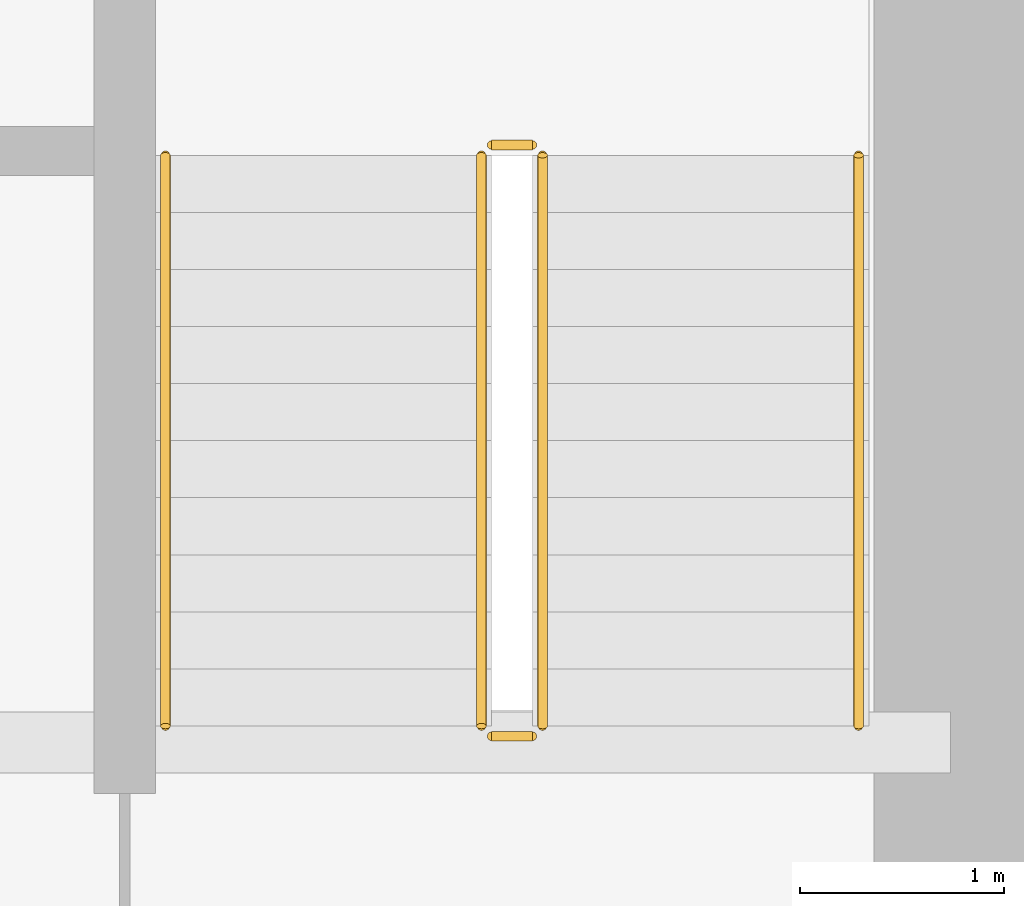
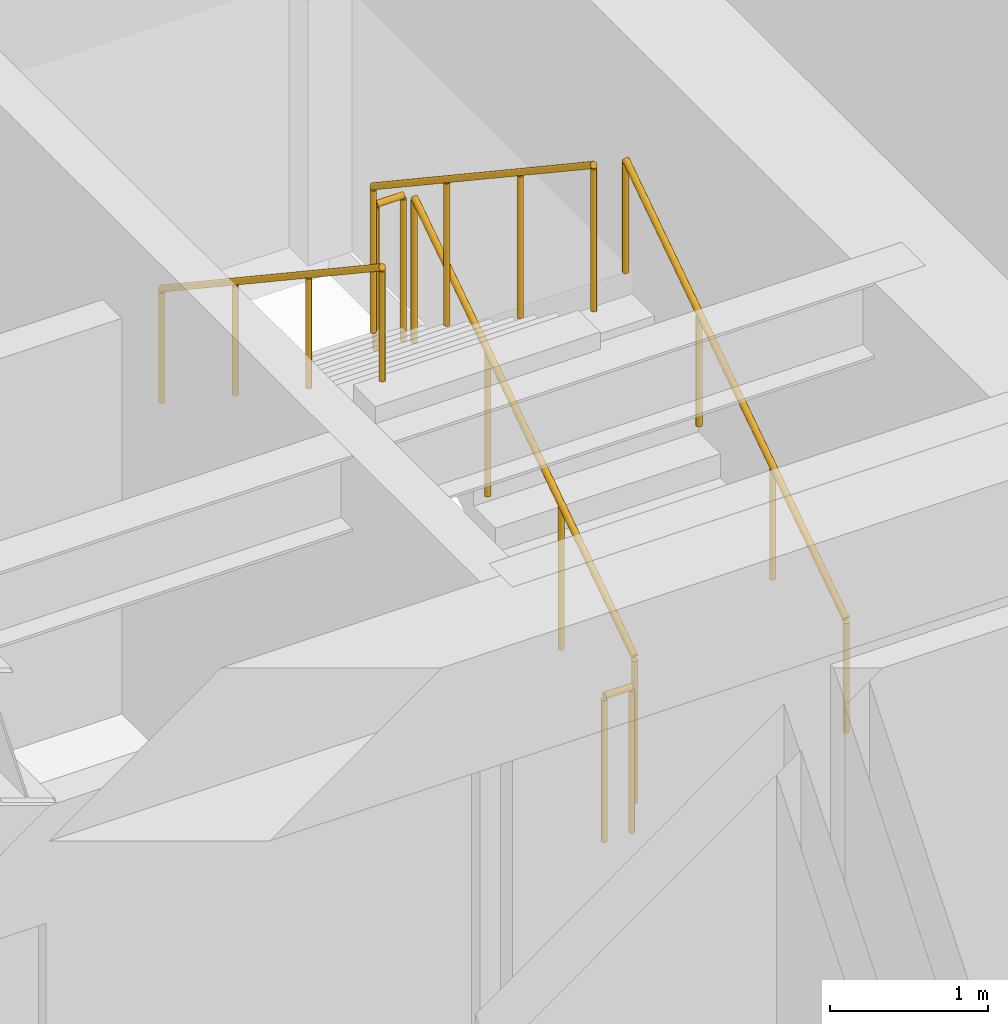
# One storey, part 35 of 35: 6 railings.
"""IFC4 building model written with IfcOpenShell, lengths in metres."""

from ifc_helpers import new_model, si_unit, direction, frame, origin, origin_2d, place, context, subcontext, project, spatial, circle, extrude, source, transform, mapped, material, type_object, type_shapes, element, save


model = new_model("IFC4")

# Units and contexts
model_context = context("Model", 3, precision=1e-05, world=origin(), true_north=direction((0.0, 1.0)))
body_context = subcontext(model_context, "Body", "Model", "MODEL_VIEW")
ifc_project = project(units=[si_unit("LENGTHUNIT", "METRE"), si_unit("AREAUNIT", "SQUARE_METRE"), si_unit("VOLUMEUNIT", "CUBIC_METRE"), si_unit("PLANEANGLEUNIT", "RADIAN"), si_unit("MASSUNIT", "GRAM", prefix="KILO")], contexts=[model_context])

# Site, building, storey
site_placement = place(None, origin())
site = spatial("IfcSite", under=ifc_project, at=site_placement, CompositionType="ELEMENT")
building_placement = place(site_placement, origin())
building = spatial("IfcBuilding", under=site, at=building_placement, Name="Haelvirn Gate Laboratories", CompositionType="ELEMENT")
storey_placement = place(building_placement, frame((0.0, 0.0, 37.5)))
storey = spatial("IfcBuildingStorey", under=building, at=storey_placement, Name="L09", CompositionType="ELEMENT", Elevation=37.5)

# Railings
ifc_material_1 = material(Name="Galvanised steel SM355 & stainless top rail", Category="steel")
railing_type_1 = type_object("IfcRailingType", Name="RL-GUARD-1150", PredefinedType="GUARDRAIL", material=ifc_material_1)
shared_shape_1 = source(origin(), body_context, "Body", "SweptSolid", [
    extrude(circle(Radius=0.02392578125, at=origin_2d()), frame((0.0, 0.0, 1.1259765625), z_axis=(0.0, -0.832452072856, 0.554097055034), x_axis=(1.0, 0.0, 0.0)), (0.0, 0.0, 1.0), 3.363525390625),
    extrude(circle(Radius=0.02099609375, at=origin_2d()), origin(), (0.0, 0.0, 1.0), 1.101806640625),
    extrude(circle(Radius=0.02099609375, at=origin_2d()), frame((0.0, -0.933349609375, 0.621337890625)), (0.0, 0.0, 1.0), 1.101806640625),
    extrude(circle(Radius=0.02099609375, at=origin_2d()), frame((0.0, -1.86669921875, 1.242431640625)), (0.0, 0.0, 1.0), 1.101806640625),
    extrude(circle(Radius=0.02099609375, at=origin_2d()), frame((0.0, -2.800048828125, 1.86376953125)), (0.0, 0.0, 1.0), 1.101806640625),
])
railing_1_placement = place(storey_placement, frame((65.10009765625, 29.5, 2.236328125)))
element("IfcRailing", 1, at=railing_1_placement, inside=storey, type_object=railing_type_1, Name="L09 ST2 stair guard 3", PredefinedType="GUARDRAIL", context=body_context, shape_type="MappedRepresentation", body=[
    mapped(shared_shape_1, transform((0.0, 0.0, 0.0), scale=1.0)),
])
ifc_material_2 = material(Name="Brushed stainless steel 316L", Category="steel")
railing_type_2 = type_object("IfcRailingType", Name="RL-HAND-920", PredefinedType="HANDRAIL", material=ifc_material_2)
shared_shape_2 = source(origin(), body_context, "Body", "SweptSolid", [
    extrude(circle(Radius=0.02392578125, at=origin_2d()), frame((0.0, 0.0, 0.8759765625), z_axis=(0.0, -0.832452072856, 0.554097055034), x_axis=(1.0, 0.0, 0.0)), (0.0, 0.0, 1.0), 3.363525390625),
    extrude(circle(Radius=0.02099609375, at=origin_2d()), origin(), (0.0, 0.0, 1.0), 0.851806640625),
    extrude(circle(Radius=0.02099609375, at=origin_2d()), frame((0.0, -0.933349609375, 0.621337890625)), (0.0, 0.0, 1.0), 0.851806640625),
    extrude(circle(Radius=0.02099609375, at=origin_2d()), frame((0.0, -1.86669921875, 1.242431640625)), (0.0, 0.0, 1.0), 0.851806640625),
    extrude(circle(Radius=0.02099609375, at=origin_2d()), frame((0.0, -2.800048828125, 1.86376953125)), (0.0, 0.0, 1.0), 0.851806640625),
])
railing_2_placement = place(storey_placement, frame((63.550048828125, 29.5, 2.236328125)))
element("IfcRailing", 2, at=railing_2_placement, inside=storey, type_object=railing_type_2, Name="L09 ST2 stair handrail 2", PredefinedType="HANDRAIL", context=body_context, shape_type="MappedRepresentation", body=[
    mapped(shared_shape_2, transform((0.0, 0.0, 0.0), scale=1.0)),
])
shared_shape_3 = source(origin(), body_context, "Body", "SweptSolid", [
    extrude(circle(Radius=0.02392578125, at=origin_2d()), frame((0.0, 0.0, 1.1259765625), z_axis=(0.0, 0.832452072856, 0.554097055034), x_axis=(-1.0, 0.0, 0.0)), (0.0, 0.0, 1.0), 3.363525390625),
    extrude(circle(Radius=0.02099609375, at=origin_2d()), origin(), (0.0, 0.0, 1.0), 1.101806640625),
    extrude(circle(Radius=0.02099609375, at=origin_2d()), frame((0.0, 0.933349609375, 0.621337890625)), (0.0, 0.0, 1.0), 1.101806640625),
    extrude(circle(Radius=0.02099609375, at=origin_2d()), frame((0.0, 1.86669921875, 1.242431640625)), (0.0, 0.0, 1.0), 1.101806640625),
    extrude(circle(Radius=0.02099609375, at=origin_2d()), frame((0.0, 2.800048828125, 1.86376953125)), (0.0, 0.0, 1.0), 1.101806640625),
])
railing_3_placement = place(storey_placement, frame((65.39990234375, 26.699951171875, 0.186279296875)))
element("IfcRailing", 3, at=railing_3_placement, inside=storey, type_object=railing_type_1, Name="L09 ST2 stair guard 1", PredefinedType="GUARDRAIL", context=body_context, shape_type="MappedRepresentation", body=[
    mapped(shared_shape_3, transform((0.0, 0.0, 0.0), scale=1.0)),
])
shared_shape_4 = source(origin(), body_context, "Body", "SweptSolid", [
    extrude(circle(Radius=0.02392578125, at=origin_2d()), frame((0.0, 0.0, 0.8759765625), z_axis=(0.0, 0.832452072856, 0.554097055034), x_axis=(-1.0, 0.0, 0.0)), (0.0, 0.0, 1.0), 3.363525390625),
    extrude(circle(Radius=0.02099609375, at=origin_2d()), origin(), (0.0, 0.0, 1.0), 0.851806640625),
    extrude(circle(Radius=0.02099609375, at=origin_2d()), frame((0.0, 0.933349609375, 0.621337890625)), (0.0, 0.0, 1.0), 0.851806640625),
    extrude(circle(Radius=0.02099609375, at=origin_2d()), frame((0.0, 1.86669921875, 1.242431640625)), (0.0, 0.0, 1.0), 0.851806640625),
    extrude(circle(Radius=0.02099609375, at=origin_2d()), frame((0.0, 2.800048828125, 1.86376953125)), (0.0, 0.0, 1.0), 0.851806640625),
])
type_shapes(railing_type_2, [shared_shape_2, shared_shape_4])
railing_4_placement = place(storey_placement, frame((66.949951171875, 26.699951171875, 0.186279296875)))
element("IfcRailing", 4, at=railing_4_placement, inside=storey, type_object=railing_type_2, Name="L09 ST2 stair handrail 1", PredefinedType="HANDRAIL", context=body_context, shape_type="MappedRepresentation", body=[
    mapped(shared_shape_4, transform((0.0, 0.0, 0.0), scale=1.0)),
])
shared_shape_5 = source(origin(), body_context, "Body", "SweptSolid", [
    extrude(circle(Radius=0.02392578125, at=origin_2d()), frame((0.0, 0.0, 1.1259765625), z_axis=(-1.0, 0.0, 0.0), x_axis=(0.0, -1.0, 0.0)), (0.0, 0.0, 1.0), 0.2001953125),
    extrude(circle(Radius=0.02099609375, at=origin_2d()), origin(), (0.0, 0.0, 1.0), 1.101806640625),
    extrude(circle(Radius=0.02099609375, at=origin_2d()), frame((-0.2001953125, 0.0, 0.0)), (0.0, 0.0, 1.0), 1.101806640625),
])
type_shapes(railing_type_1, [shared_shape_1, shared_shape_3, shared_shape_5])
for number, where, name in (
    (5, (65.35009765625, 29.550048828125, 2.050048828125), "L09 ST2 stair guard 2"),
    (6, (65.35009765625, 26.64990234375, 0.0), "L09 ST2 stair guard 4"),
):
    element("IfcRailing", number, at=place(storey_placement, frame(where)), inside=storey, type_object=railing_type_1, Name=name, PredefinedType="GUARDRAIL", context=body_context, shape_type="MappedRepresentation", body=[
        mapped(shared_shape_5, transform((0.0, 0.0, 0.0), scale=1.0)),
    ])

save(model, "model.ifc")
